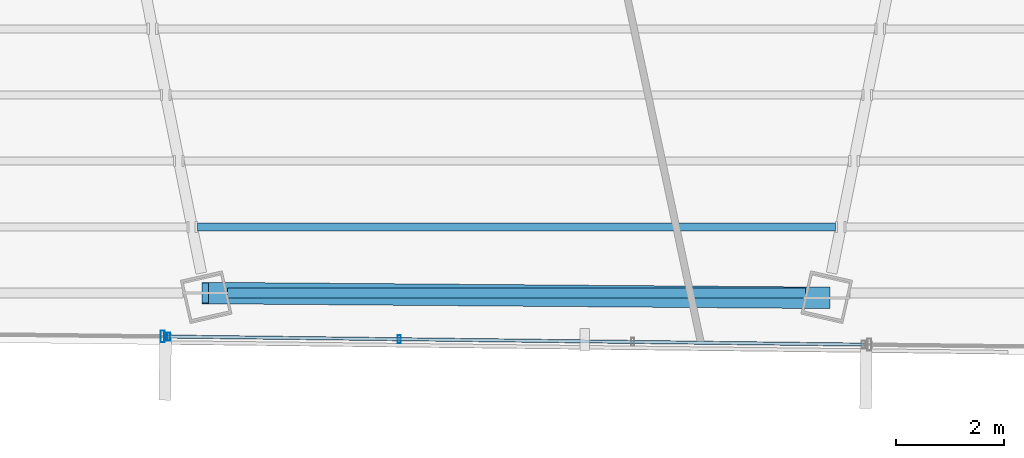
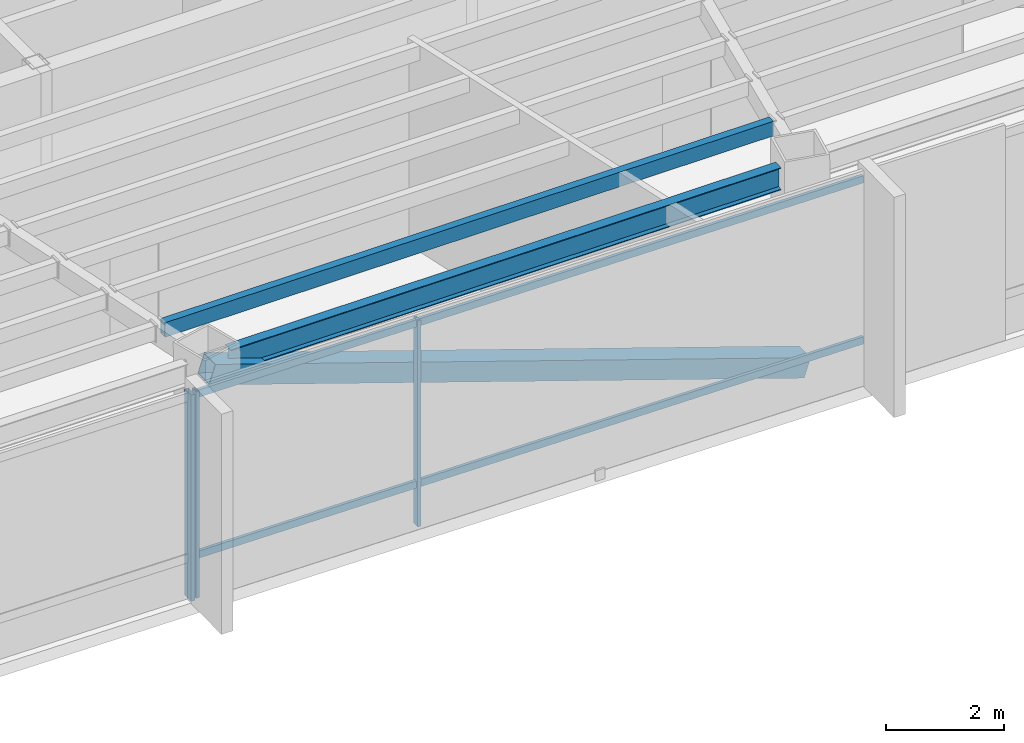
# One storey, part 7 of 37: 6 members, 2 beams, 2 elements without a shape of their own.
"""IFC4 building model written with IfcOpenShell, lengths in metres."""

from ifc_helpers import new_model, si_unit, direction, frame, origin, origin_2d, place, context, subcontext, project, spatial, hollow_rectangle, i_section, extrude, source, transform, mapped, material, material_profile, profile_set, type_object, type_shapes, element, aggregate, save


model = new_model("IFC4")

# Units and contexts
model_context = context("Model", 3, precision=1e-05, world=origin(), true_north=direction((0.0, 1.0)))
body_context = subcontext(model_context, "Body", "Model", "MODEL_VIEW")
ifc_project = project(units=[si_unit("LENGTHUNIT", "METRE"), si_unit("AREAUNIT", "SQUARE_METRE"), si_unit("VOLUMEUNIT", "CUBIC_METRE"), si_unit("PLANEANGLEUNIT", "RADIAN"), si_unit("MASSUNIT", "GRAM", prefix="KILO")], contexts=[model_context])

# Site, building, storey
site_placement = place(None, origin())
site = spatial("IfcSite", under=ifc_project, at=site_placement, CompositionType="ELEMENT")
building_placement = place(site_placement, origin())
building = spatial("IfcBuilding", under=site, at=building_placement, Name="Caelisora Broadcast Tower", CompositionType="ELEMENT")
storey_placement = place(building_placement, frame((0.0, 0.0, 225.35009765625)))
storey = spatial("IfcBuildingStorey", under=building, at=storey_placement, Name="L59", CompositionType="ELEMENT", Elevation=225.35009765625)

# Beams
ifc_material_1 = material(Name="Steel Grade 350 (AS/NZS 3679.1)", Category="steel")
ifc_material_profile_1 = material_profile(ifc_material_1, i_section(OverallWidth=0.19091796875, OverallDepth=0.46044921875, WebThickness=0.010009765625, FlangeThickness=0.01611328125, at=origin_2d()), Name="Steel Grade 350 (AS/NZS 3679.1)")
ifc_profile_set_1 = profile_set([ifc_material_profile_1], Name="Steel Grade 350 (AS/NZS 3679.1)")
beam_type_1 = type_object("IfcBeamType", Name="PG06", PredefinedType="BEAM", material=ifc_profile_set_1)
shared_shape_1 = source(origin(), body_context, "Body", "SweptSolid", [
    extrude(i_section(OverallWidth=0.19091796875, OverallDepth=0.46044921875, WebThickness=0.010009765625, FlangeThickness=0.01611328125, at=origin_2d()), origin(), (0.0, 0.0, 1.0), 10.73876953125),
])
type_shapes(beam_type_1, [shared_shape_1])
beam_1_placement = place(storey_placement, frame((32.630615234375, 8.805908203125, 4.019775390625), z_axis=(1.0, 0.0, 0.0), x_axis=(0.0, 1.0, 0.0)))
element("IfcBeam", 1, at=beam_1_placement, inside=storey, type_object=beam_type_1, Name="L59 beam PG06", PredefinedType="BEAM", context=body_context, shape_type="MappedRepresentation", body=[
    mapped(shared_shape_1, transform((0.0, 0.0, 0.0), scale=1.0)),
])
ifc_material_2 = material(Name="Steel Grade 350 (AS/NZS 1163 C350L0)", Category="steel")
ifc_material_profile_2 = material_profile(ifc_material_2, hollow_rectangle(XDim=0.14990234375, YDim=0.300048828125, WallThickness=0.010009765625, at=origin_2d()), Name="Steel Grade 350 (AS/NZS 1163 C350L0)")
ifc_profile_set_2 = profile_set([ifc_material_profile_2], Name="Steel Grade 350 (AS/NZS 1163 C350L0)")
beam_type_2 = type_object("IfcBeamType", Name="SB05", PredefinedType="JOIST", material=ifc_profile_set_2)
shared_shape_2 = source(origin(), body_context, "Body", "SweptSolid", [
    extrude(hollow_rectangle(XDim=0.14990234375, YDim=0.300048828125, WallThickness=0.010009765625, at=origin_2d()), origin(), (0.0, 0.0, 1.0), 11.86279296875),
])
type_shapes(beam_type_2, [shared_shape_2])
beam_2_placement = place(storey_placement, frame((32.068603515625, 10.03369140625, 4.099853515625), z_axis=(1.0, 0.0, 0.0), x_axis=(0.0, 1.0, 0.0)))
element("IfcBeam", 2, at=beam_2_placement, inside=storey, type_object=beam_type_2, Name="L59 beam SB05", PredefinedType="JOIST", context=body_context, shape_type="MappedRepresentation", body=[
    mapped(shared_shape_2, transform((0.0, 0.0, 0.0), scale=1.0)),
])

# Member
ifc_material_3 = material(Name="Steel Grade 450 (AS/NZS 1163 C450L0)", Category="steel")
ifc_material_profile_3 = material_profile(ifc_material_3, hollow_rectangle(XDim=0.39990234375, YDim=0.39990234375, WallThickness=0.01611328125, at=origin_2d()), Name="Steel Grade 450 (AS/NZS 1163 C450L0)")
ifc_profile_set_3 = profile_set([ifc_material_profile_3], Name="Steel Grade 450 (AS/NZS 1163 C450L0)")
member_type_1 = type_object("IfcMemberType", Name="BR04", PredefinedType="BRACE", material=ifc_profile_set_3)
shared_shape_3 = source(origin(), body_context, "Body", "SweptSolid", [
    extrude(hollow_rectangle(XDim=0.39990234375, YDim=0.39990234375, WallThickness=0.01611328125, at=origin_2d()), origin(), (0.0, 0.0, 1.0), 12.175537109375),
])
type_shapes(member_type_1, [shared_shape_3])
member_1_placement = place(storey_placement, frame((32.214599609375, 8.805908203125, 3.949951171875), z_axis=(0.948659894653, -0.007318823562, -0.316213281027), x_axis=(0.007714678154, 0.999970241428, 0.0)))
element("IfcMember", 3, at=member_1_placement, inside=storey, type_object=member_type_1, Name="L59 perimeter brace BR04", PredefinedType="BRACE", context=body_context, shape_type="MappedRepresentation", body=[
    mapped(shared_shape_3, transform((0.0, 0.0, 0.0), scale=1.0)),
])

# Curtain wall, member
ifc_material_4 = material(Name="Unitised Aluminium and Low-E Glass Curtain Wall", Category="glass")
curtain_wall_type_1 = type_object("IfcCurtainWallType", Name="CW-SKY", PredefinedType="NOTDEFINED", material=ifc_material_4)
curtain_wall_1_placement = place(storey_placement, origin())
curtain_wall_1 = element("IfcCurtainWall", 4, at=curtain_wall_1_placement, inside=storey, type_object=curtain_wall_type_1, Name="L59 curtain wall CW-SKY", PredefinedType="NOTDEFINED")
ifc_material_5 = material(Name="Aluminium 6063-T6 Anodised Terracotta Bronze", Category="aluminium")
ifc_material_profile_4 = material_profile(ifc_material_5, hollow_rectangle(XDim=0.074951171875, YDim=0.219970703125, WallThickness=0.00390625, at=origin_2d()), Name="Aluminium 6063-T6 Anodised Terracotta Bronze")
ifc_profile_set_4 = profile_set([ifc_material_profile_4], Name="Aluminium 6063-T6 Anodised Terracotta Bronze")
member_type_2 = type_object("IfcMemberType", Name="CWM-01", PredefinedType="MULLION", material=ifc_profile_set_4)
shared_shape_4 = source(origin(), body_context, "Body", "SweptSolid", [
    extrude(hollow_rectangle(XDim=0.074951171875, YDim=0.219970703125, WallThickness=0.00390625, at=origin_2d()), origin(), (0.0, 0.0, 1.0), 4.25),
])
type_shapes(member_type_2, [shared_shape_4])
member_2_placement = place(storey_placement, frame((31.42138671875, 7.99853515625, 0.0), z_axis=(0.0, 0.0, 1.0), x_axis=(1.0, 0.0, 0.0)))
member_2 = element("IfcMember", 5, at=member_2_placement, type_object=member_type_2, Name="L59-CW-B07 mullion #0", PredefinedType="MULLION", context=body_context, shape_type="MappedRepresentation", body=[
    mapped(shared_shape_4, transform((0.0, 0.0, 0.0), scale=1.0)),
])
aggregate(curtain_wall_1, [member_2])

# Curtain wall, members
ifc_material_6 = material(Name="Unitised Aluminium Insulated Shadow-Box Spandrel Curtain Wall", Category="aluminium")
curtain_wall_type_2 = type_object("IfcCurtainWallType", Name="CW-SP2", PredefinedType="NOTDEFINED", material=ifc_material_6)
curtain_wall_2_placement = place(storey_placement, origin())
curtain_wall_2 = element("IfcCurtainWall", 6, at=curtain_wall_2_placement, inside=storey, type_object=curtain_wall_type_2, Name="L59 curtain wall CW-SP2", PredefinedType="NOTDEFINED")
ifc_material_profile_5 = material_profile(ifc_material_5, hollow_rectangle(XDim=0.06005859375, YDim=0.14990234375, WallThickness=0.00341796875, at=origin_2d()), Name="Aluminium 6063-T6 Anodised Terracotta Bronze")
ifc_profile_set_5 = profile_set([ifc_material_profile_5], Name="Aluminium 6063-T6 Anodised Terracotta Bronze")
member_type_3 = type_object("IfcMemberType", Name="CWM-03", PredefinedType="MULLION", material=ifc_profile_set_5)
shared_shape_5 = source(origin(), body_context, "Body", "SweptSolid", [
    extrude(hollow_rectangle(XDim=0.06005859375, YDim=0.14990234375, WallThickness=0.00341796875, at=origin_2d()), origin(), (0.0, 0.0, 1.0), 4.25),
])
type_shapes(member_type_3, [shared_shape_5])
member_3_placement = place(storey_placement, frame((35.821044921875, 7.947509765625, 0.0), z_axis=(0.0, 0.0, 1.0), x_axis=(1.0, 0.0, 0.0)))
member_3 = element("IfcMember", 7, at=member_3_placement, type_object=member_type_3, Name="L59-CW-B06 mullion #2", PredefinedType="MULLION", context=body_context, shape_type="MappedRepresentation", body=[
    mapped(shared_shape_5, transform((0.0, 0.0, 0.0), scale=1.0)),
])
member_4_placement = place(storey_placement, frame((31.531494140625, 7.997314453125, 0.0), z_axis=(0.0, 0.0, 1.0), x_axis=(1.0, 0.0, 0.0)))
member_4 = element("IfcMember", 8, at=member_4_placement, type_object=member_type_3, Name="L59-CW-B06 mullion #3", PredefinedType="MULLION", context=body_context, shape_type="MappedRepresentation", body=[
    mapped(shared_shape_5, transform((0.0, 0.0, 0.0), scale=1.0)),
])
ifc_material_profile_6 = material_profile(ifc_material_5, hollow_rectangle(XDim=0.06005859375, YDim=0.14990234375, WallThickness=0.00341796875, at=origin_2d()), Name="Aluminium 6063-T6 Anodised Terracotta Bronze")
ifc_profile_set_6 = profile_set([ifc_material_profile_6], Name="Aluminium 6063-T6 Anodised Terracotta Bronze")
member_type_4 = type_object("IfcMemberType", Name="CWT-02", PredefinedType="USERDEFINED", material=ifc_profile_set_6)
shared_shape_6 = source(origin(), body_context, "Body", "SweptSolid", [
    extrude(hollow_rectangle(XDim=0.06005859375, YDim=0.14990234375, WallThickness=0.00341796875, at=origin_2d()), origin(), (0.0, 0.0, 1.0), 12.919677734375),
])
type_shapes(member_type_4, [shared_shape_6])
member_5_placement = place(storey_placement, frame((44.4501953125, 7.847412109375, 0.849853515625), z_axis=(-0.999932686016, 0.011602733993, 0.0), x_axis=(-0.011602733993, -0.999932686016, 0.0)))
member_5 = element("IfcMember", 9, at=member_5_placement, type_object=member_type_4, Name="L59-CW-B06 transom #1", ObjectType="TRANSOM", PredefinedType="USERDEFINED", context=body_context, shape_type="MappedRepresentation", body=[
    mapped(shared_shape_6, transform((0.0, 0.0, 0.0), scale=1.0)),
])
member_6_placement = place(storey_placement, frame((44.4501953125, 7.847412109375, 4.169921875), z_axis=(-0.999932686016, 0.011602733993, 0.0), x_axis=(-0.011602733993, -0.999932686016, 0.0)))
member_6 = element("IfcMember", 10, at=member_6_placement, type_object=member_type_4, Name="L59-CW-B06 transom #2", ObjectType="TRANSOM", PredefinedType="USERDEFINED", context=body_context, shape_type="MappedRepresentation", body=[
    mapped(shared_shape_6, transform((0.0, 0.0, 0.0), scale=1.0)),
])
aggregate(curtain_wall_2, [member_3, member_4, member_5, member_6])

save(model, "model.ifc")
